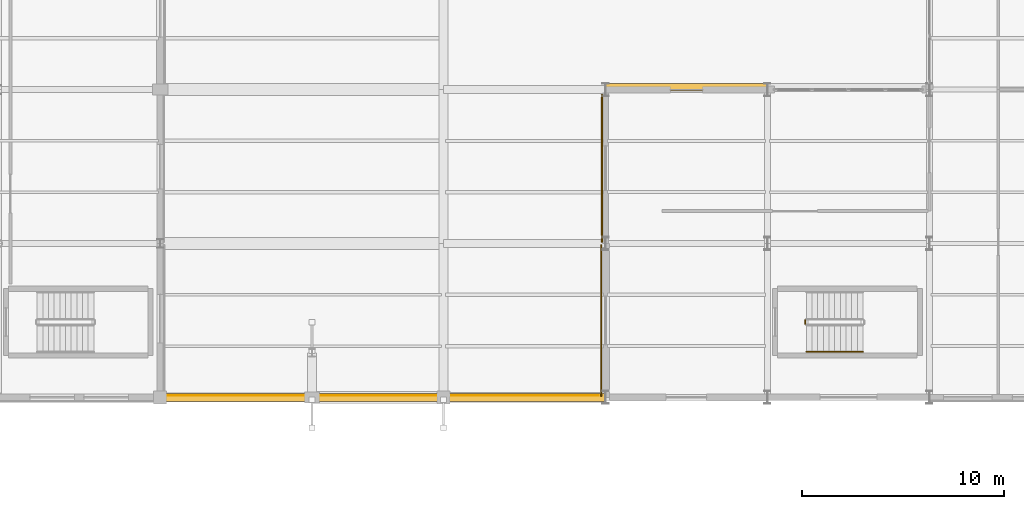
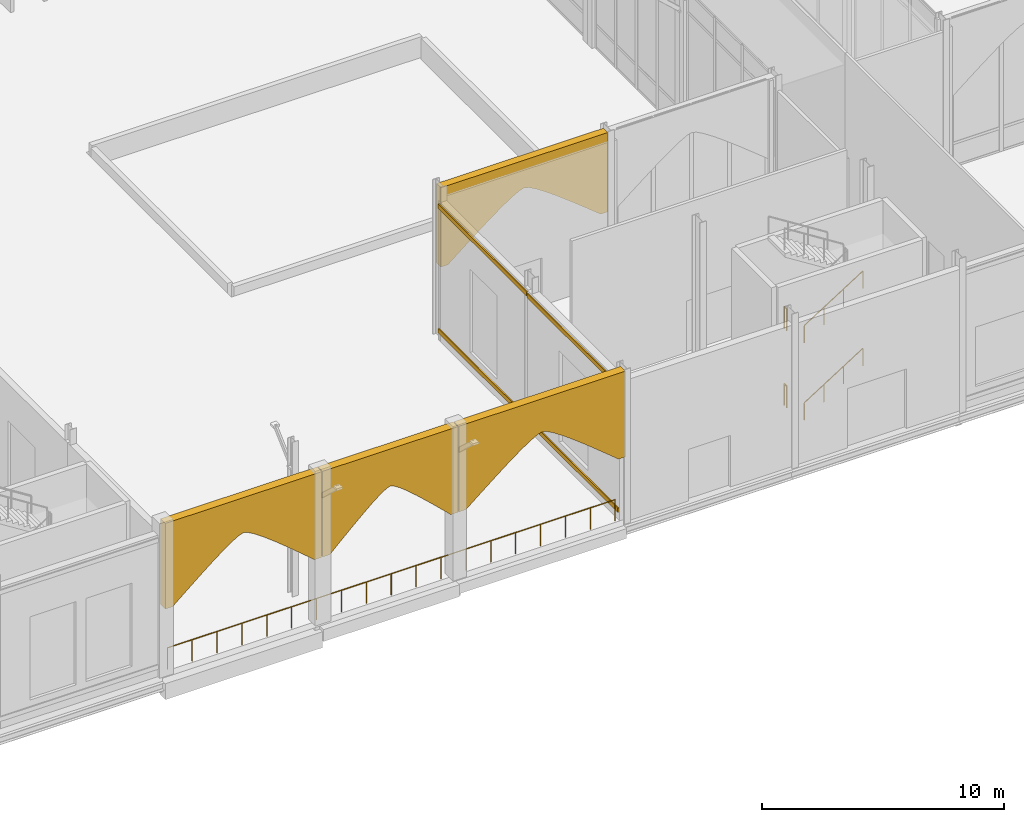
# One storey, part 157 of 176: 8 coverings, 5 railings.
"""IFC4 building model written with IfcOpenShell, lengths in metres."""

from ifc_helpers import new_model, si_unit, direction, frame, origin, origin_2d, place, context, subcontext, project, spatial, polyline, rectangle, circle, outline, extrude, material, layer, layer_set, type_object, element, save


model = new_model("IFC4")

# Units and contexts
model_context = context("Model", 3, precision=1e-05, world=origin(), true_north=direction((0.0, 1.0)))
body_context = subcontext(model_context, "Body", "Model", "MODEL_VIEW")
ifc_project = project(units=[si_unit("LENGTHUNIT", "METRE"), si_unit("AREAUNIT", "SQUARE_METRE"), si_unit("VOLUMEUNIT", "CUBIC_METRE"), si_unit("PLANEANGLEUNIT", "RADIAN"), si_unit("MASSUNIT", "GRAM", prefix="KILO")], contexts=[model_context])

# Site, building, storey
site_placement = place(None, origin())
site = spatial("IfcSite", under=ifc_project, at=site_placement, CompositionType="ELEMENT")
building_placement = place(site_placement, origin())
building = spatial("IfcBuilding", under=site, at=building_placement, Name="Vekula Escarpment Museum", CompositionType="ELEMENT")
storey_placement = place(building_placement, origin())
storey = spatial("IfcBuildingStorey", under=building, at=storey_placement, Name="L01", CompositionType="ELEMENT", Elevation=0.0)

# Coverings
ifc_material_1 = material(Name="Polychrome limestone almasik string-course band", Category="masonry")
ifc_layer_1 = layer(ifc_material_1, 0.06005859375)
ifc_layer_set_1 = layer_set([ifc_layer_1], Name="Polychrome limestone almasik string-course band")
covering_type_1 = type_object("IfcCoveringType", Name="COV-ALM-BAND", PredefinedType="CLADDING", material=ifc_layer_set_1)
for number, where, z_axis, x_axis, name in (
    (1, (77.823974609375, 11.318115234375, 0.41015625), (0.0, 0.0, 1.0), (0.0, 1.0, 0.0), "Almasik Stone String Course L01-0221"),
    (2, (77.823974609375, 11.318115234375, 6.69482421875), (0.0, 0.0, 1.0), (0.0, 1.0, 0.0), "Almasik Stone String Course L01-0222"),
):
    element("IfcCovering", number, at=place(storey_placement, frame(where, z_axis=z_axis, x_axis=x_axis)), inside=storey, type_object=covering_type_1, Name=name, PredefinedType="CLADDING", context=body_context, shape_type="SweptSolid", body=[
        extrude(rectangle(XDim=7.31591796875, YDim=0.06005859375, at=origin_2d()), origin(), (0.0, 0.0, 1.0), 0.219970703125),
    ])
for number, where, z_axis, x_axis, name in (
    (3, (77.783935546875, 3.800048828125, 0.41015625), (0.0, 0.0, 1.0), (0.0, 1.0, 0.0), "Almasik Stone String Course L01-0223"),
    (4, (77.783935546875, 3.800048828125, 6.69482421875), (0.0, 0.0, 1.0), (0.0, 1.0, 0.0), "Almasik Stone String Course L01-0224"),
):
    element("IfcCovering", number, at=place(storey_placement, frame(where, z_axis=z_axis, x_axis=x_axis)), inside=storey, type_object=covering_type_1, Name=name, PredefinedType="CLADDING", context=body_context, shape_type="SweptSolid", body=[
        extrude(rectangle(XDim=7.47998046875, YDim=0.06005859375, at=origin_2d()), origin(), (0.0, 0.0, 1.0), 0.219970703125),
    ])
ifc_material_2 = material(Name="Carved limestone revak pointed-arch cladding", Category="masonry")
ifc_layer_2 = layer(ifc_material_2, 0.3798828125)
ifc_layer_set_2 = layer_set([ifc_layer_2], Name="Carved limestone revak pointed-arch cladding")
covering_type_2 = type_object("IfcCoveringType", Name="COV-REVAK-ARCH", PredefinedType="CLADDING", material=ifc_layer_set_2)
covering_1_placement = place(storey_placement, frame((59.75, 0.199951171875, 3.300048828125), z_axis=(0.0, -1.0, 0.0), x_axis=(1.0, 0.0, 0.0)))
element("IfcCovering", 5, at=covering_1_placement, inside=storey, type_object=covering_type_2, Name="Ottoman Pointed-Arch Revak Spandrel S-FORE-1", PredefinedType="CLADDING", context=body_context, shape_type="SweptSolid", body=[
    extrude(outline(polyline([(-3.72998046875, 4.320068359375), (3.72998046875, 4.320068359375), (3.72998046875, 0.0), (3.389892578125, 0.0), (2.723876953125, 0.5673828125), (2.082275390625, 1.1064453125), (1.489501953125, 1.58984375), (0.967041015625, 1.99365234375), (0.53466796875, 2.297607421875), (0.208251953125, 2.486083984375), (0.0, 2.550048828125), (-0.208251953125, 2.486083984375), (-0.53466796875, 2.297607421875), (-0.967041015625, 1.99365234375), (-1.489501953125, 1.58984375), (-2.082275390625, 1.1064453125), (-2.723876953125, 0.5673828125), (-3.389892578125, 0.0), (-3.72998046875, 0.0), (-3.72998046875, 4.320068359375)])), origin(), (0.0, 0.0, 1.0), 0.39990234375),
])
covering_2_placement = place(storey_placement, frame((66.75, 0.199951171875, 3.300048828125), z_axis=(0.0, -1.0, 0.0), x_axis=(1.0, 0.0, 0.0)))
element("IfcCovering", 6, at=covering_2_placement, inside=storey, type_object=covering_type_2, Name="Ottoman Pointed-Arch Revak Spandrel S-FORE-2", PredefinedType="CLADDING", context=body_context, shape_type="SweptSolid", body=[
    extrude(outline(polyline([(-3.22998046875, 4.320068359375), (3.22998046875, 4.320068359375), (3.22998046875, 0.0), (2.889892578125, 0.0), (2.322021484375, 0.545166015625), (1.775146484375, 1.06298828125), (1.269775390625, 1.527587890625), (0.824462890625, 1.91552734375), (0.455810546875, 2.20751953125), (0.177490234375, 2.388671875), (0.0, 2.449951171875), (-0.177490234375, 2.388671875), (-0.455810546875, 2.20751953125), (-0.824462890625, 1.91552734375), (-1.269775390625, 1.527587890625), (-1.775146484375, 1.06298828125), (-2.322021484375, 0.545166015625), (-2.889892578125, 0.0), (-3.22998046875, 0.0), (-3.22998046875, 4.320068359375)])), origin(), (0.0, 0.0, 1.0), 0.39990234375),
])
covering_3_placement = place(storey_placement, frame((74.0, 0.199951171875, 3.300048828125), z_axis=(0.0, -1.0, 0.0), x_axis=(1.0, 0.0, 0.0)))
element("IfcCovering", 7, at=covering_3_placement, inside=storey, type_object=covering_type_2, Name="Ottoman Pointed-Arch Revak Spandrel S-FORE-3", PredefinedType="CLADDING", context=body_context, shape_type="SweptSolid", body=[
    extrude(outline(polyline([(-3.97998046875, 4.320068359375), (3.97998046875, 4.320068359375), (3.97998046875, 0.0), (3.639892578125, 0.0), (2.9248046875, 0.589599609375), (2.23583984375, 1.14990234375), (1.59912109375, 1.652099609375), (1.038330078125, 2.072021484375), (0.57421875, 2.3876953125), (0.2236328125, 2.58349609375), (0.0, 2.64990234375), (-0.2236328125, 2.58349609375), (-0.57421875, 2.3876953125), (-1.038330078125, 2.072021484375), (-1.59912109375, 1.652099609375), (-2.23583984375, 1.14990234375), (-2.9248046875, 0.589599609375), (-3.639892578125, 0.0), (-3.97998046875, 0.0), (-3.97998046875, 4.320068359375)])), origin(), (0.0, 0.0, 1.0), 0.39990234375),
])
covering_4_placement = place(storey_placement, frame((82.0, 15.5, 3.550048828125), z_axis=(0.0, -1.0, 0.0), x_axis=(1.0, 0.0, 0.0)))
element("IfcCovering", 8, at=covering_4_placement, inside=storey, type_object=covering_type_2, Name="Ottoman Pointed-Arch Revak Spandrel AVLU-S-1", PredefinedType="CLADDING", context=body_context, shape_type="SweptSolid", body=[
    extrude(outline(polyline([(-3.97998046875, 4.0), (3.97998046875, 4.0), (3.97998046875, 0.0), (3.639892578125, 0.0), (2.9248046875, 0.57861328125), (2.23583984375, 1.128173828125), (1.59912109375, 1.62109375), (1.038330078125, 2.03271484375), (0.57421875, 2.342529296875), (0.2236328125, 2.534912109375), (0.0, 2.60009765625), (-0.2236328125, 2.534912109375), (-0.57421875, 2.342529296875), (-1.038330078125, 2.03271484375), (-1.59912109375, 1.62109375), (-2.23583984375, 1.128173828125), (-2.9248046875, 0.57861328125), (-3.639892578125, 0.0), (-3.97998046875, 0.0), (-3.97998046875, 4.0)])), origin(), (0.0, 0.0, 1.0), 0.360107421875),
])

# Railings
ifc_material_3 = material(Name="Painted Steel S355 stair guard", Category="steel")
railing_type_1 = type_object("IfcRailingType", Name="RL-STAIR-GUARD", PredefinedType="GUARDRAIL", material=ifc_material_3)
for number, where, name in (
    (9, (87.8701171875, 3.6201171875, 3.89990234375), "L01 ST-11 stair guard 4"),
    (10, (87.8701171875, 3.6201171875, 0.0), "L01 ST-11 stair guard 8"),
):
    element("IfcRailing", number, at=place(storey_placement, frame(where)), inside=storey, type_object=railing_type_1, Name=name, PredefinedType="GUARDRAIL", context=body_context, shape_type="SweptSolid", body=[
        extrude(circle(Radius=0.02392578125, at=origin_2d()), frame((0.0, 0.0, 1.076171875), z_axis=(0.0, 1.0, 0.0), x_axis=(-1.0, 0.0, 0.0)), (0.0, 0.0, 1.0), 0.199951171875),
        extrude(circle(Radius=0.02099609375, at=origin_2d()), origin(), (0.0, 0.0, 1.0), 1.052001953125),
        extrude(circle(Radius=0.02099609375, at=origin_2d()), frame((0.0, 0.199951171875, 0.0)), (0.0, 0.0, 1.0), 1.052001953125),
    ])
ifc_material_4 = material(Name="Brushed stainless steel handrail", Category="steel")
railing_type_2 = type_object("IfcRailingType", Name="RL-STAIR-HAND", PredefinedType="HANDRAIL", material=ifc_material_4)
for number, where, name in (
    (11, (87.919921875, 2.25, 0.17724609375), "L01 ST-11 stair handrail 1"),
    (12, (87.919921875, 2.25, 4.077392578125), "L01 ST-11 stair handrail 3"),
):
    element("IfcRailing", number, at=place(storey_placement, frame(where)), inside=storey, type_object=railing_type_2, Name=name, PredefinedType="HANDRAIL", context=body_context, shape_type="SweptSolid", body=[
        extrude(circle(Radius=0.02392578125, at=origin_2d()), frame((0.0, 0.0, 0.8759765625), z_axis=(0.844908973607, 0.0, 0.534910110503), x_axis=(0.0, 1.0, 0.0)), (0.0, 0.0, 1.0), 3.31396484375),
        extrude(circle(Radius=0.02099609375, at=origin_2d()), origin(), (0.0, 0.0, 1.0), 0.851806640625),
        extrude(circle(Radius=0.02099609375, at=origin_2d()), frame((0.933349609375, 0.0, 0.5908203125)), (0.0, 0.0, 1.0), 0.851806640625),
        extrude(circle(Radius=0.02099609375, at=origin_2d()), frame((1.86669921875, 0.0, 1.181884765625)), (0.0, 0.0, 1.0), 0.851806640625),
        extrude(circle(Radius=0.02099609375, at=origin_2d()), frame((2.800048828125, 0.0, 1.772705078125)), (0.0, 0.0, 1.0), 0.851806640625),
    ])
ifc_material_5 = material(Name="Bronze-coated Steel S355 balustrade", Category="steel")
railing_type_3 = type_object("IfcRailingType", Name="RL-TER-GUARD", PredefinedType="GUARDRAIL", material=ifc_material_5)
railing_placement = place(storey_placement, frame((77.64990234375, 0.090087890625, 0.0)))
element("IfcRailing", 13, at=railing_placement, inside=storey, type_object=railing_type_3, Name="Terrace Balustrade L01-004", PredefinedType="GUARDRAIL", context=body_context, shape_type="SweptSolid", body=[
    extrude(circle(Radius=0.02392578125, at=origin_2d()), frame((0.0, 0.0, 1.076171875), z_axis=(-1.0, 0.0, 0.0), x_axis=(0.0, -1.0, 0.0)), (0.0, 0.0, 1.0), 21.369873046875),
    extrude(circle(Radius=0.02099609375, at=origin_2d()), origin(), (0.0, 0.0, 1.0), 1.052001953125),
    extrude(circle(Radius=0.02099609375, at=origin_2d()), frame((-1.187255859375, 0.0, 0.0)), (0.0, 0.0, 1.0), 1.052001953125),
    extrude(circle(Radius=0.02099609375, at=origin_2d()), frame((-2.37451171875, 0.0, 0.0)), (0.0, 0.0, 1.0), 1.052001953125),
    extrude(circle(Radius=0.02099609375, at=origin_2d()), frame((-3.5615234375, 0.0, 0.0)), (0.0, 0.0, 1.0), 1.052001953125),
    extrude(circle(Radius=0.02099609375, at=origin_2d()), frame((-4.748779296875, 0.0, 0.0)), (0.0, 0.0, 1.0), 1.052001953125),
    extrude(circle(Radius=0.02099609375, at=origin_2d()), frame((-5.93603515625, 0.0, 0.0)), (0.0, 0.0, 1.0), 1.052001953125),
    extrude(circle(Radius=0.02099609375, at=origin_2d()), frame((-7.123291015625, 0.0, 0.0)), (0.0, 0.0, 1.0), 1.052001953125),
    extrude(circle(Radius=0.02099609375, at=origin_2d()), frame((-8.310546875, 0.0, 0.0)), (0.0, 0.0, 1.0), 1.052001953125),
    extrude(circle(Radius=0.02099609375, at=origin_2d()), frame((-9.497802734375, 0.0, 0.0)), (0.0, 0.0, 1.0), 1.052001953125),
    extrude(circle(Radius=0.02099609375, at=origin_2d()), frame((-10.68505859375, 0.0, 0.0)), (0.0, 0.0, 1.0), 1.052001953125),
    extrude(circle(Radius=0.02099609375, at=origin_2d()), frame((-11.8720703125, 0.0, 0.0)), (0.0, 0.0, 1.0), 1.052001953125),
    extrude(circle(Radius=0.02099609375, at=origin_2d()), frame((-13.059326171875, 0.0, 0.0)), (0.0, 0.0, 1.0), 1.052001953125),
    extrude(circle(Radius=0.02099609375, at=origin_2d()), frame((-14.24658203125, 0.0, 0.0)), (0.0, 0.0, 1.0), 1.052001953125),
    extrude(circle(Radius=0.02099609375, at=origin_2d()), frame((-15.433837890625, 0.0, 0.0)), (0.0, 0.0, 1.0), 1.052001953125),
    extrude(circle(Radius=0.02099609375, at=origin_2d()), frame((-16.62109375, 0.0, 0.0)), (0.0, 0.0, 1.0), 1.052001953125),
    extrude(circle(Radius=0.02099609375, at=origin_2d()), frame((-17.80810546875, 0.0, 0.0)), (0.0, 0.0, 1.0), 1.052001953125),
    extrude(circle(Radius=0.02099609375, at=origin_2d()), frame((-18.995361328125, 0.0, 0.0)), (0.0, 0.0, 1.0), 1.052001953125),
    extrude(circle(Radius=0.02099609375, at=origin_2d()), frame((-20.1826171875, 0.0, 0.0)), (0.0, 0.0, 1.0), 1.052001953125),
    extrude(circle(Radius=0.02099609375, at=origin_2d()), frame((-21.369873046875, 0.0, 0.0)), (0.0, 0.0, 1.0), 1.052001953125),
])

save(model, "model.ifc")
